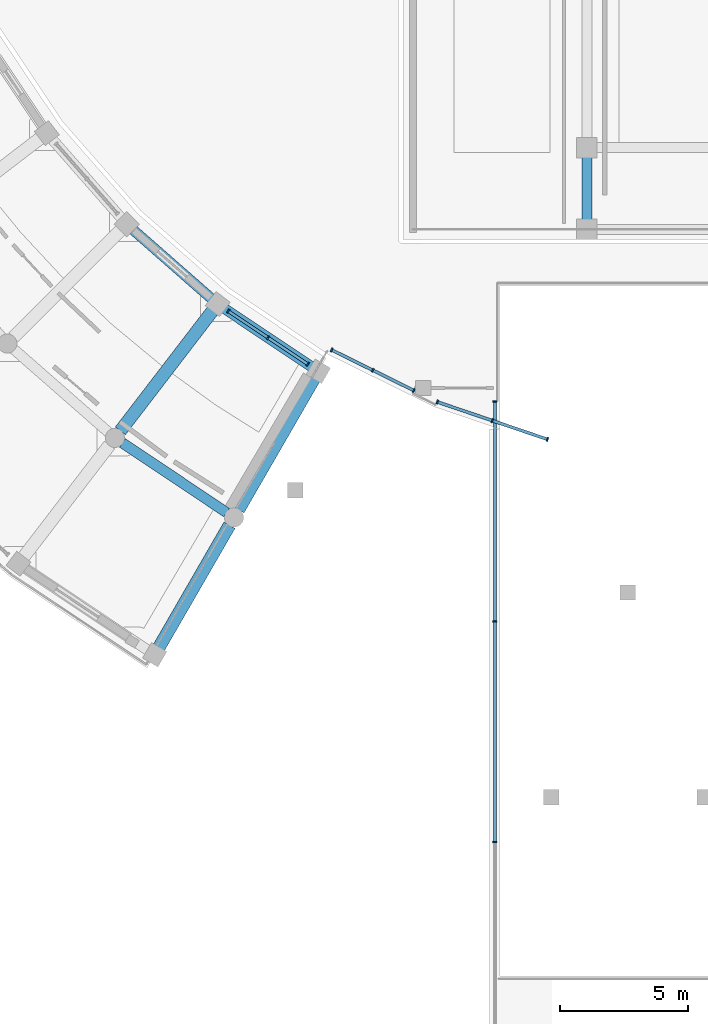
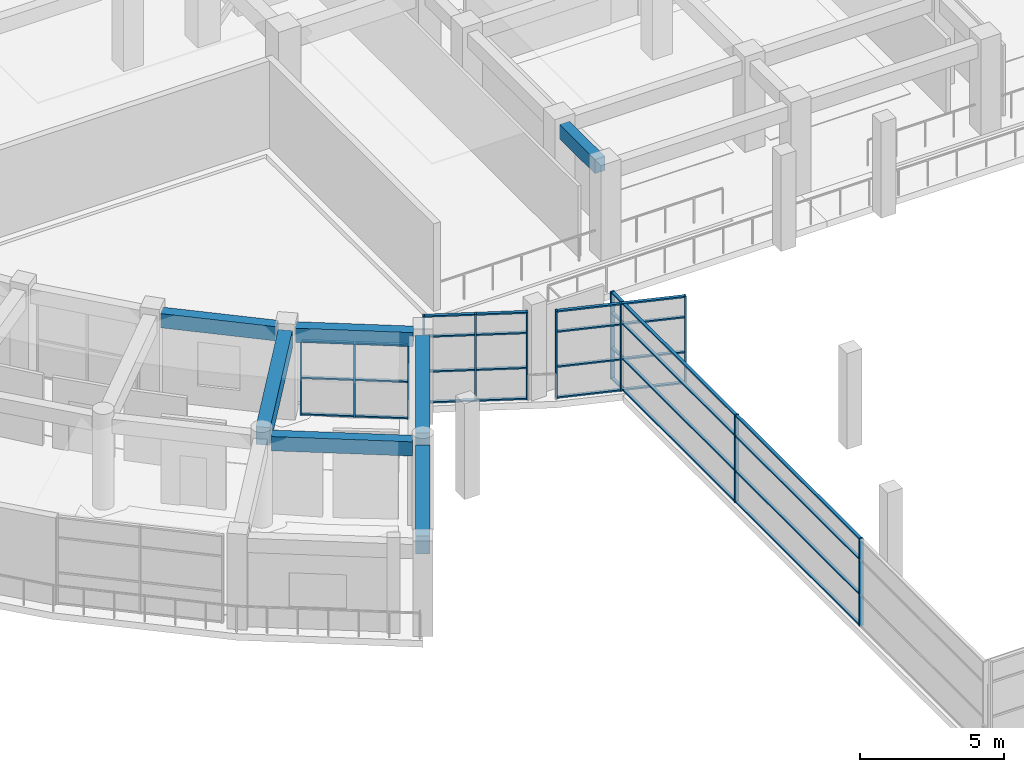
# One storey, part 16 of 87: 42 members, 7 beams, 4 elements without a shape of their own.
"""IFC4 building model written with IfcOpenShell, lengths in metres."""

from ifc_helpers import new_model, si_unit, direction, frame, origin, origin_2d, place, context, subcontext, project, spatial, rectangle, extrude, material, material_profile, profile_set, type_object, element, aggregate, save


model = new_model("IFC4")

# Units and contexts
model_context = context("Model", 3, precision=1e-05, world=origin(), true_north=direction((0.0, 1.0)))
body_context = subcontext(model_context, "Body", "Model", "MODEL_VIEW")
ifc_project = project(units=[si_unit("LENGTHUNIT", "METRE"), si_unit("AREAUNIT", "SQUARE_METRE"), si_unit("VOLUMEUNIT", "CUBIC_METRE"), si_unit("PLANEANGLEUNIT", "RADIAN"), si_unit("MASSUNIT", "GRAM", prefix="KILO")], contexts=[model_context])

# Site, building, storey
site_placement = place(None, origin())
site = spatial("IfcSite", under=ifc_project, at=site_placement, CompositionType="ELEMENT")
building_placement = place(site_placement, origin())
building = spatial("IfcBuilding", under=site, at=building_placement, Name="Saryqyr Civic Hall", CompositionType="ELEMENT")
storey_placement = place(building_placement, frame((0.0, 0.0, 5.10009765625)))
storey = spatial("IfcBuildingStorey", under=building, at=storey_placement, Name="L01", CompositionType="ELEMENT", Elevation=5.10009765625)

# Curtain wall, members
ifc_material_1 = material(Name="Anodised aluminium and triple low-E glass", Category="aluminium")
curtain_wall_type_1 = type_object("IfcCurtainWallType", Name="ENV-CW-STD-20", PredefinedType="NOTDEFINED", material=ifc_material_1)
curtain_wall_1_placement = place(storey_placement, origin())
curtain_wall_1 = element("IfcCurtainWall", 1, at=curtain_wall_1_placement, inside=storey, type_object=curtain_wall_type_1, Name="Curtain wall V4-CWI-L01-09", PredefinedType="NOTDEFINED")
ifc_material_2 = material(Name="Anodised aluminium", Category="aluminium")
ifc_material_profile_1 = material_profile(ifc_material_2, rectangle(XDim=0.06005859375, YDim=0.159912109375, at=origin_2d()), Name="ALU MULLION 60x160")
ifc_profile_set_1 = profile_set([ifc_material_profile_1], Name="Anodised aluminium")
member_type_1 = type_object("IfcMemberType", Name="ENV-CW-MUL-180", PredefinedType="MULLION", material=ifc_profile_set_1)
member_1_placement = place(storey_placement, frame((35.377685546875, 55.00341796875, 0.0), z_axis=(0.0, 0.0, 1.0), x_axis=(0.831478565563, -0.555556833285, 0.0)))
member_1 = element("IfcMember", 2, at=member_1_placement, type_object=member_type_1, Name="CW-20 mullion 1", PredefinedType="MULLION", context=body_context, shape_type="SweptSolid", body=[
    extrude(rectangle(XDim=0.06005859375, YDim=0.159912109375, at=origin_2d()), origin(), (0.0, 0.0, 1.0), 3.14501953125),
])
member_2_placement = place(storey_placement, frame((36.931396484375, 53.96533203125, 0.0), z_axis=(0.0, 0.0, 1.0), x_axis=(0.831478565563, -0.555556833285, 0.0)))
member_2 = element("IfcMember", 3, at=member_2_placement, type_object=member_type_1, Name="CW-20 mullion 2", PredefinedType="MULLION", context=body_context, shape_type="SweptSolid", body=[
    extrude(rectangle(XDim=0.06005859375, YDim=0.159912109375, at=origin_2d()), origin(), (0.0, 0.0, 1.0), 3.14501953125),
])
member_3_placement = place(storey_placement, frame((38.485107421875, 52.92724609375, 0.0), z_axis=(0.0, 0.0, 1.0), x_axis=(0.831478565563, -0.555556833285, 0.0)))
member_3 = element("IfcMember", 4, at=member_3_placement, type_object=member_type_1, Name="CW-20 mullion 3", PredefinedType="MULLION", context=body_context, shape_type="SweptSolid", body=[
    extrude(rectangle(XDim=0.06005859375, YDim=0.159912109375, at=origin_2d()), origin(), (0.0, 0.0, 1.0), 3.14501953125),
])

curtain_wall_type_2 = type_object("IfcCurtainWallType", Name="ENV-CW-STD-70", PredefinedType="NOTDEFINED", material=ifc_material_1)
curtain_wall_2_placement = place(storey_placement, origin())
curtain_wall_2 = element("IfcCurtainWall", 5, at=curtain_wall_2_placement, inside=storey, type_object=curtain_wall_type_2, Name="Curtain wall V2-VESTFLK-SW-L01", PredefinedType="NOTDEFINED")
member_4_placement = place(storey_placement, frame((45.800048828125, 34.239990234375, 0.0), z_axis=(0.0, 0.0, 1.0), x_axis=(0.0, 1.0, 0.0)))
member_4 = element("IfcMember", 6, at=member_4_placement, type_object=member_type_1, Name="CW-70 mullion 2", PredefinedType="MULLION", context=body_context, shape_type="SweptSolid", body=[
    extrude(rectangle(XDim=0.06005859375, YDim=0.159912109375, at=origin_2d()), origin(), (0.0, 0.0, 1.0), 3.699951171875),
])
member_5_placement = place(storey_placement, frame((45.800048828125, 42.8701171875, 0.0), z_axis=(0.0, 0.0, 1.0), x_axis=(0.0, 1.0, 0.0)))
member_5 = element("IfcMember", 7, at=member_5_placement, type_object=member_type_1, Name="CW-70 mullion 3", PredefinedType="MULLION", context=body_context, shape_type="SweptSolid", body=[
    extrude(rectangle(XDim=0.06005859375, YDim=0.159912109375, at=origin_2d()), origin(), (0.0, 0.0, 1.0), 3.699951171875),
])
member_6_placement = place(storey_placement, frame((45.800048828125, 51.469970703125, 0.0), z_axis=(0.0, 0.0, 1.0), x_axis=(0.0, 1.0, 0.0)))
member_6 = element("IfcMember", 8, at=member_6_placement, type_object=member_type_1, Name="CW-70 mullion 4", PredefinedType="MULLION", context=body_context, shape_type="SweptSolid", body=[
    extrude(rectangle(XDim=0.06005859375, YDim=0.159912109375, at=origin_2d()), origin(), (0.0, 0.0, 1.0), 3.699951171875),
])

curtain_wall_type_3 = type_object("IfcCurtainWallType", Name="ENV-CW-STD-77", PredefinedType="NOTDEFINED", material=ifc_material_1)
curtain_wall_3_placement = place(storey_placement, origin())
curtain_wall_3 = element("IfcCurtainWall", 9, at=curtain_wall_3_placement, inside=storey, type_object=curtain_wall_type_3, Name="Curtain wall V2-PERIM-CW-L01-32", PredefinedType="NOTDEFINED")
member_7_placement = place(storey_placement, frame((42.633056640625, 51.899169921875, 0.0), z_axis=(0.0, 0.0, 1.0), x_axis=(-0.896871168654, 0.442291879687, 0.0)))
member_7 = element("IfcMember", 10, at=member_7_placement, type_object=member_type_1, Name="CW-77 mullion 1", PredefinedType="MULLION", context=body_context, shape_type="SweptSolid", body=[
    extrude(rectangle(XDim=0.06005859375, YDim=0.159912109375, at=origin_2d()), origin(), (0.0, 0.0, 1.0), 3.699951171875),
])
member_8_placement = place(storey_placement, frame((41.02490234375, 52.6923828125, 0.0), z_axis=(0.0, 0.0, 1.0), x_axis=(-0.896871168654, 0.442291879687, 0.0)))
member_8 = element("IfcMember", 11, at=member_8_placement, type_object=member_type_1, Name="CW-77 mullion 2", PredefinedType="MULLION", context=body_context, shape_type="SweptSolid", body=[
    extrude(rectangle(XDim=0.06005859375, YDim=0.159912109375, at=origin_2d()), origin(), (0.0, 0.0, 1.0), 3.699951171875),
])
member_9_placement = place(storey_placement, frame((39.4169921875, 53.4853515625, 0.0), z_axis=(0.0, 0.0, 1.0), x_axis=(-0.896871168654, 0.442291879687, 0.0)))
member_9 = element("IfcMember", 12, at=member_9_placement, type_object=member_type_1, Name="CW-77 mullion 3", PredefinedType="MULLION", context=body_context, shape_type="SweptSolid", body=[
    extrude(rectangle(XDim=0.06005859375, YDim=0.159912109375, at=origin_2d()), origin(), (0.0, 0.0, 1.0), 3.699951171875),
])

curtain_wall_type_4 = type_object("IfcCurtainWallType", Name="ENV-CW-STD-74", PredefinedType="NOTDEFINED", material=ifc_material_1)
curtain_wall_4_placement = place(storey_placement, origin())
curtain_wall_4 = element("IfcCurtainWall", 13, at=curtain_wall_4_placement, inside=storey, type_object=curtain_wall_type_4, Name="Curtain wall V2-PERIM-CW-L01-33", PredefinedType="NOTDEFINED")
member_10_placement = place(storey_placement, frame((47.85595703125, 49.98974609375, 0.0), z_axis=(0.0, 0.0, 1.0), x_axis=(-0.946928094828, 0.321445459178, 0.0)))
member_10 = element("IfcMember", 14, at=member_10_placement, type_object=member_type_1, Name="CW-74 mullion 1", PredefinedType="MULLION", context=body_context, shape_type="SweptSolid", body=[
    extrude(rectangle(XDim=0.06005859375, YDim=0.159912109375, at=origin_2d()), origin(), (0.0, 0.0, 1.0), 3.699951171875),
])
member_11_placement = place(storey_placement, frame((45.703125, 50.720458984375, 0.0), z_axis=(0.0, 0.0, 1.0), x_axis=(-0.946928094828, 0.321445459178, 0.0)))
member_11 = element("IfcMember", 15, at=member_11_placement, type_object=member_type_1, Name="CW-74 mullion 2", PredefinedType="MULLION", context=body_context, shape_type="SweptSolid", body=[
    extrude(rectangle(XDim=0.06005859375, YDim=0.159912109375, at=origin_2d()), origin(), (0.0, 0.0, 1.0), 3.699951171875),
])
member_12_placement = place(storey_placement, frame((43.55029296875, 51.451416015625, 0.0), z_axis=(0.0, 0.0, 1.0), x_axis=(-0.946928094828, 0.321445459178, 0.0)))
member_12 = element("IfcMember", 16, at=member_12_placement, type_object=member_type_1, Name="CW-74 mullion 3", PredefinedType="MULLION", context=body_context, shape_type="SweptSolid", body=[
    extrude(rectangle(XDim=0.06005859375, YDim=0.159912109375, at=origin_2d()), origin(), (0.0, 0.0, 1.0), 3.699951171875),
])

# Member
ifc_material_profile_2 = material_profile(ifc_material_2, rectangle(XDim=0.1201171875, YDim=0.06005859375, at=origin_2d()), Name="ALU TRANSOM 120x60")
ifc_profile_set_2 = profile_set([ifc_material_profile_2], Name="Anodised aluminium")
member_type_2 = type_object("IfcMemberType", Name="ENV-CW-TRN-150", PredefinedType="USERDEFINED", material=ifc_profile_set_2)
member_13_placement = place(storey_placement, frame((35.402587890625, 54.986572265625, 0.02978515625), z_axis=(0.83153074235, -0.555478734541, 0.0), x_axis=(0.555478734541, 0.83153074235, 0.0)))
member_13 = element("IfcMember", 17, at=member_13_placement, type_object=member_type_2, Name="CW-20 transom 1.1", ObjectType="TRANSOM", PredefinedType="USERDEFINED", context=body_context, shape_type="SweptSolid", body=[
    extrude(rectangle(XDim=0.1201171875, YDim=0.06005859375, at=origin_2d()), origin(), (0.0, 0.0, 1.0), 1.80859375),
])

member_14_placement = place(storey_placement, frame((35.402587890625, 54.986572265625, 1.572021484375), z_axis=(0.83153074235, -0.555478734541, 0.0), x_axis=(0.555478734541, 0.83153074235, 0.0)))
member_14 = element("IfcMember", 18, at=member_14_placement, type_object=member_type_2, Name="CW-20 transom 1.2", ObjectType="TRANSOM", PredefinedType="USERDEFINED", context=body_context, shape_type="SweptSolid", body=[
    extrude(rectangle(XDim=0.1201171875, YDim=0.06005859375, at=origin_2d()), origin(), (0.0, 0.0, 1.0), 1.80859375),
])

member_15_placement = place(storey_placement, frame((35.402587890625, 54.986572265625, 3.114990234375), z_axis=(0.83153074235, -0.555478734541, 0.0), x_axis=(0.555478734541, 0.83153074235, 0.0)))
member_15 = element("IfcMember", 19, at=member_15_placement, type_object=member_type_2, Name="CW-20 transom 1.3", ObjectType="TRANSOM", PredefinedType="USERDEFINED", context=body_context, shape_type="SweptSolid", body=[
    extrude(rectangle(XDim=0.1201171875, YDim=0.06005859375, at=origin_2d()), origin(), (0.0, 0.0, 1.0), 1.80859375),
])

member_16_placement = place(storey_placement, frame((36.956298828125, 53.948486328125, 0.02978515625), z_axis=(0.83153074235, -0.555478734541, 0.0), x_axis=(0.555478734541, 0.83153074235, 0.0)))
member_16 = element("IfcMember", 20, at=member_16_placement, type_object=member_type_2, Name="CW-20 transom 2.1", ObjectType="TRANSOM", PredefinedType="USERDEFINED", context=body_context, shape_type="SweptSolid", body=[
    extrude(rectangle(XDim=0.1201171875, YDim=0.06005859375, at=origin_2d()), origin(), (0.0, 0.0, 1.0), 1.80859375),
])

member_17_placement = place(storey_placement, frame((36.956298828125, 53.948486328125, 1.572021484375), z_axis=(0.83153074235, -0.555478734541, 0.0), x_axis=(0.555478734541, 0.83153074235, 0.0)))
member_17 = element("IfcMember", 21, at=member_17_placement, type_object=member_type_2, Name="CW-20 transom 2.2", ObjectType="TRANSOM", PredefinedType="USERDEFINED", context=body_context, shape_type="SweptSolid", body=[
    extrude(rectangle(XDim=0.1201171875, YDim=0.06005859375, at=origin_2d()), origin(), (0.0, 0.0, 1.0), 1.80859375),
])

member_18_placement = place(storey_placement, frame((36.956298828125, 53.948486328125, 3.114990234375), z_axis=(0.83153074235, -0.555478734541, 0.0), x_axis=(0.555478734541, 0.83153074235, 0.0)))
member_18 = element("IfcMember", 22, at=member_18_placement, type_object=member_type_2, Name="CW-20 transom 2.3", ObjectType="TRANSOM", PredefinedType="USERDEFINED", context=body_context, shape_type="SweptSolid", body=[
    extrude(rectangle(XDim=0.1201171875, YDim=0.06005859375, at=origin_2d()), origin(), (0.0, 0.0, 1.0), 1.80859375),
])

aggregate(curtain_wall_1, [member_1, member_2, member_3, member_13, member_14, member_15, member_16, member_17, member_18])

member_19_placement = place(storey_placement, frame((45.800048828125, 34.27001953125, 0.02978515625), z_axis=(0.0, 1.0, 0.0), x_axis=(-1.0, 0.0, 0.0)))
member_19 = element("IfcMember", 23, at=member_19_placement, type_object=member_type_2, Name="CW-70 transom 2.1", ObjectType="TRANSOM", PredefinedType="USERDEFINED", context=body_context, shape_type="SweptSolid", body=[
    extrude(rectangle(XDim=0.1201171875, YDim=0.06005859375, at=origin_2d()), origin(), (0.0, 0.0, 1.0), 8.570068359375),
])

member_20_placement = place(storey_placement, frame((45.800048828125, 34.27001953125, 1.331787109375), z_axis=(0.0, 1.0, 0.0), x_axis=(-1.0, 0.0, 0.0)))
member_20 = element("IfcMember", 24, at=member_20_placement, type_object=member_type_2, Name="CW-70 transom 2.2", ObjectType="TRANSOM", PredefinedType="USERDEFINED", context=body_context, shape_type="SweptSolid", body=[
    extrude(rectangle(XDim=0.1201171875, YDim=0.06005859375, at=origin_2d()), origin(), (0.0, 0.0, 1.0), 8.570068359375),
])

member_21_placement = place(storey_placement, frame((45.800048828125, 34.27001953125, 2.81201171875), z_axis=(0.0, 1.0, 0.0), x_axis=(-1.0, 0.0, 0.0)))
member_21 = element("IfcMember", 25, at=member_21_placement, type_object=member_type_2, Name="CW-70 transom 2.3", ObjectType="TRANSOM", PredefinedType="USERDEFINED", context=body_context, shape_type="SweptSolid", body=[
    extrude(rectangle(XDim=0.1201171875, YDim=0.06005859375, at=origin_2d()), origin(), (0.0, 0.0, 1.0), 8.570068359375),
])

member_22_placement = place(storey_placement, frame((45.800048828125, 34.27001953125, 3.669921875), z_axis=(0.0, 1.0, 0.0), x_axis=(-1.0, 0.0, 0.0)))
member_22 = element("IfcMember", 26, at=member_22_placement, type_object=member_type_2, Name="CW-70 transom 2.4", ObjectType="TRANSOM", PredefinedType="USERDEFINED", context=body_context, shape_type="SweptSolid", body=[
    extrude(rectangle(XDim=0.1201171875, YDim=0.06005859375, at=origin_2d()), origin(), (0.0, 0.0, 1.0), 8.570068359375),
])

member_23_placement = place(storey_placement, frame((45.800048828125, 42.89990234375, 0.02978515625), z_axis=(0.0, 1.0, 0.0), x_axis=(-1.0, 0.0, 0.0)))
member_23 = element("IfcMember", 27, at=member_23_placement, type_object=member_type_2, Name="CW-70 transom 3.1", ObjectType="TRANSOM", PredefinedType="USERDEFINED", context=body_context, shape_type="SweptSolid", body=[
    extrude(rectangle(XDim=0.1201171875, YDim=0.06005859375, at=origin_2d()), origin(), (0.0, 0.0, 1.0), 8.5400390625),
])

member_24_placement = place(storey_placement, frame((45.800048828125, 42.89990234375, 1.331787109375), z_axis=(0.0, 1.0, 0.0), x_axis=(-1.0, 0.0, 0.0)))
member_24 = element("IfcMember", 28, at=member_24_placement, type_object=member_type_2, Name="CW-70 transom 3.2", ObjectType="TRANSOM", PredefinedType="USERDEFINED", context=body_context, shape_type="SweptSolid", body=[
    extrude(rectangle(XDim=0.1201171875, YDim=0.06005859375, at=origin_2d()), origin(), (0.0, 0.0, 1.0), 8.5400390625),
])

member_25_placement = place(storey_placement, frame((45.800048828125, 42.89990234375, 2.81201171875), z_axis=(0.0, 1.0, 0.0), x_axis=(-1.0, 0.0, 0.0)))
member_25 = element("IfcMember", 29, at=member_25_placement, type_object=member_type_2, Name="CW-70 transom 3.3", ObjectType="TRANSOM", PredefinedType="USERDEFINED", context=body_context, shape_type="SweptSolid", body=[
    extrude(rectangle(XDim=0.1201171875, YDim=0.06005859375, at=origin_2d()), origin(), (0.0, 0.0, 1.0), 8.5400390625),
])

member_26_placement = place(storey_placement, frame((45.800048828125, 42.89990234375, 3.669921875), z_axis=(0.0, 1.0, 0.0), x_axis=(-1.0, 0.0, 0.0)))
member_26 = element("IfcMember", 30, at=member_26_placement, type_object=member_type_2, Name="CW-70 transom 3.4", ObjectType="TRANSOM", PredefinedType="USERDEFINED", context=body_context, shape_type="SweptSolid", body=[
    extrude(rectangle(XDim=0.1201171875, YDim=0.06005859375, at=origin_2d()), origin(), (0.0, 0.0, 1.0), 8.5400390625),
])

aggregate(curtain_wall_2, [member_4, member_5, member_6, member_19, member_20, member_21, member_22, member_23, member_24, member_25, member_26])

member_27_placement = place(storey_placement, frame((42.606201171875, 51.91259765625, 0.02978515625), z_axis=(-0.896893071271, 0.442247463198, 0.0), x_axis=(-0.442247463198, -0.896893071271, 0.0)))
member_27 = element("IfcMember", 31, at=member_27_placement, type_object=member_type_2, Name="CW-77 transom 1.1", ObjectType="TRANSOM", PredefinedType="USERDEFINED", context=body_context, shape_type="SweptSolid", body=[
    extrude(rectangle(XDim=0.1201171875, YDim=0.06005859375, at=origin_2d()), origin(), (0.0, 0.0, 1.0), 1.73291015625),
])

member_28_placement = place(storey_placement, frame((42.606201171875, 51.91259765625, 1.331787109375), z_axis=(-0.896893071271, 0.442247463198, 0.0), x_axis=(-0.442247463198, -0.896893071271, 0.0)))
member_28 = element("IfcMember", 32, at=member_28_placement, type_object=member_type_2, Name="CW-77 transom 1.2", ObjectType="TRANSOM", PredefinedType="USERDEFINED", context=body_context, shape_type="SweptSolid", body=[
    extrude(rectangle(XDim=0.1201171875, YDim=0.06005859375, at=origin_2d()), origin(), (0.0, 0.0, 1.0), 1.73291015625),
])

member_29_placement = place(storey_placement, frame((42.606201171875, 51.91259765625, 2.81201171875), z_axis=(-0.896893071271, 0.442247463198, 0.0), x_axis=(-0.442247463198, -0.896893071271, 0.0)))
member_29 = element("IfcMember", 33, at=member_29_placement, type_object=member_type_2, Name="CW-77 transom 1.3", ObjectType="TRANSOM", PredefinedType="USERDEFINED", context=body_context, shape_type="SweptSolid", body=[
    extrude(rectangle(XDim=0.1201171875, YDim=0.06005859375, at=origin_2d()), origin(), (0.0, 0.0, 1.0), 1.73291015625),
])

member_30_placement = place(storey_placement, frame((42.606201171875, 51.91259765625, 3.669921875), z_axis=(-0.896893071271, 0.442247463198, 0.0), x_axis=(-0.442247463198, -0.896893071271, 0.0)))
member_30 = element("IfcMember", 34, at=member_30_placement, type_object=member_type_2, Name="CW-77 transom 1.4", ObjectType="TRANSOM", PredefinedType="USERDEFINED", context=body_context, shape_type="SweptSolid", body=[
    extrude(rectangle(XDim=0.1201171875, YDim=0.06005859375, at=origin_2d()), origin(), (0.0, 0.0, 1.0), 1.73291015625),
])

member_31_placement = place(storey_placement, frame((40.998046875, 52.70556640625, 0.02978515625), z_axis=(-0.89683718455, 0.442360785342, 0.0), x_axis=(-0.442360785342, -0.89683718455, 0.0)))
member_31 = element("IfcMember", 35, at=member_31_placement, type_object=member_type_2, Name="CW-77 transom 2.1", ObjectType="TRANSOM", PredefinedType="USERDEFINED", context=body_context, shape_type="SweptSolid", body=[
    extrude(rectangle(XDim=0.1201171875, YDim=0.06005859375, at=origin_2d()), origin(), (0.0, 0.0, 1.0), 1.73291015625),
])

member_32_placement = place(storey_placement, frame((40.998046875, 52.70556640625, 1.331787109375), z_axis=(-0.89683718455, 0.442360785342, 0.0), x_axis=(-0.442360785342, -0.89683718455, 0.0)))
member_32 = element("IfcMember", 36, at=member_32_placement, type_object=member_type_2, Name="CW-77 transom 2.2", ObjectType="TRANSOM", PredefinedType="USERDEFINED", context=body_context, shape_type="SweptSolid", body=[
    extrude(rectangle(XDim=0.1201171875, YDim=0.06005859375, at=origin_2d()), origin(), (0.0, 0.0, 1.0), 1.73291015625),
])

member_33_placement = place(storey_placement, frame((40.998046875, 52.70556640625, 2.81201171875), z_axis=(-0.89683718455, 0.442360785342, 0.0), x_axis=(-0.442360785342, -0.89683718455, 0.0)))
member_33 = element("IfcMember", 37, at=member_33_placement, type_object=member_type_2, Name="CW-77 transom 2.3", ObjectType="TRANSOM", PredefinedType="USERDEFINED", context=body_context, shape_type="SweptSolid", body=[
    extrude(rectangle(XDim=0.1201171875, YDim=0.06005859375, at=origin_2d()), origin(), (0.0, 0.0, 1.0), 1.73291015625),
])

member_34_placement = place(storey_placement, frame((40.998046875, 52.70556640625, 3.669921875), z_axis=(-0.89683718455, 0.442360785342, 0.0), x_axis=(-0.442360785342, -0.89683718455, 0.0)))
member_34 = element("IfcMember", 38, at=member_34_placement, type_object=member_type_2, Name="CW-77 transom 2.4", ObjectType="TRANSOM", PredefinedType="USERDEFINED", context=body_context, shape_type="SweptSolid", body=[
    extrude(rectangle(XDim=0.1201171875, YDim=0.06005859375, at=origin_2d()), origin(), (0.0, 0.0, 1.0), 1.73291015625),
])

aggregate(curtain_wall_3, [member_7, member_8, member_9, member_27, member_28, member_29, member_30, member_31, member_32, member_33, member_34])

member_35_placement = place(storey_placement, frame((47.82763671875, 49.999267578125, 0.02978515625), z_axis=(-0.946915165682, 0.321483543904, 0.0), x_axis=(-0.321483543904, -0.946915165682, 0.0)))
member_35 = element("IfcMember", 39, at=member_35_placement, type_object=member_type_2, Name="CW-74 transom 1.1", ObjectType="TRANSOM", PredefinedType="USERDEFINED", context=body_context, shape_type="SweptSolid", body=[
    extrude(rectangle(XDim=0.1201171875, YDim=0.06005859375, at=origin_2d()), origin(), (0.0, 0.0, 1.0), 2.213623046875),
])

member_36_placement = place(storey_placement, frame((47.82763671875, 49.999267578125, 1.331787109375), z_axis=(-0.946915165682, 0.321483543904, 0.0), x_axis=(-0.321483543904, -0.946915165682, 0.0)))
member_36 = element("IfcMember", 40, at=member_36_placement, type_object=member_type_2, Name="CW-74 transom 1.2", ObjectType="TRANSOM", PredefinedType="USERDEFINED", context=body_context, shape_type="SweptSolid", body=[
    extrude(rectangle(XDim=0.1201171875, YDim=0.06005859375, at=origin_2d()), origin(), (0.0, 0.0, 1.0), 2.213623046875),
])

member_37_placement = place(storey_placement, frame((47.82763671875, 49.999267578125, 2.81201171875), z_axis=(-0.946915165682, 0.321483543904, 0.0), x_axis=(-0.321483543904, -0.946915165682, 0.0)))
member_37 = element("IfcMember", 41, at=member_37_placement, type_object=member_type_2, Name="CW-74 transom 1.3", ObjectType="TRANSOM", PredefinedType="USERDEFINED", context=body_context, shape_type="SweptSolid", body=[
    extrude(rectangle(XDim=0.1201171875, YDim=0.06005859375, at=origin_2d()), origin(), (0.0, 0.0, 1.0), 2.213623046875),
])

member_38_placement = place(storey_placement, frame((47.82763671875, 49.999267578125, 3.669921875), z_axis=(-0.946915165682, 0.321483543904, 0.0), x_axis=(-0.321483543904, -0.946915165682, 0.0)))
member_38 = element("IfcMember", 42, at=member_38_placement, type_object=member_type_2, Name="CW-74 transom 1.4", ObjectType="TRANSOM", PredefinedType="USERDEFINED", context=body_context, shape_type="SweptSolid", body=[
    extrude(rectangle(XDim=0.1201171875, YDim=0.06005859375, at=origin_2d()), origin(), (0.0, 0.0, 1.0), 2.213623046875),
])

member_39_placement = place(storey_placement, frame((45.6748046875, 50.730224609375, 0.02978515625), z_axis=(-0.946948734697, 0.321384650933, 0.0), x_axis=(-0.321384650933, -0.946948734697, 0.0)))
member_39 = element("IfcMember", 43, at=member_39_placement, type_object=member_type_2, Name="CW-74 transom 2.1", ObjectType="TRANSOM", PredefinedType="USERDEFINED", context=body_context, shape_type="SweptSolid", body=[
    extrude(rectangle(XDim=0.1201171875, YDim=0.06005859375, at=origin_2d()), origin(), (0.0, 0.0, 1.0), 2.213623046875),
])

member_40_placement = place(storey_placement, frame((45.6748046875, 50.730224609375, 1.331787109375), z_axis=(-0.946948734697, 0.321384650933, 0.0), x_axis=(-0.321384650933, -0.946948734697, 0.0)))
member_40 = element("IfcMember", 44, at=member_40_placement, type_object=member_type_2, Name="CW-74 transom 2.2", ObjectType="TRANSOM", PredefinedType="USERDEFINED", context=body_context, shape_type="SweptSolid", body=[
    extrude(rectangle(XDim=0.1201171875, YDim=0.06005859375, at=origin_2d()), origin(), (0.0, 0.0, 1.0), 2.213623046875),
])

member_41_placement = place(storey_placement, frame((45.6748046875, 50.730224609375, 2.81201171875), z_axis=(-0.946948734697, 0.321384650933, 0.0), x_axis=(-0.321384650933, -0.946948734697, 0.0)))
member_41 = element("IfcMember", 45, at=member_41_placement, type_object=member_type_2, Name="CW-74 transom 2.3", ObjectType="TRANSOM", PredefinedType="USERDEFINED", context=body_context, shape_type="SweptSolid", body=[
    extrude(rectangle(XDim=0.1201171875, YDim=0.06005859375, at=origin_2d()), origin(), (0.0, 0.0, 1.0), 2.213623046875),
])

member_42_placement = place(storey_placement, frame((45.6748046875, 50.730224609375, 3.669921875), z_axis=(-0.946948734697, 0.321384650933, 0.0), x_axis=(-0.321384650933, -0.946948734697, 0.0)))
member_42 = element("IfcMember", 46, at=member_42_placement, type_object=member_type_2, Name="CW-74 transom 2.4", ObjectType="TRANSOM", PredefinedType="USERDEFINED", context=body_context, shape_type="SweptSolid", body=[
    extrude(rectangle(XDim=0.1201171875, YDim=0.06005859375, at=origin_2d()), origin(), (0.0, 0.0, 1.0), 2.213623046875),
])

aggregate(curtain_wall_4, [member_10, member_11, member_12, member_35, member_36, member_37, member_38, member_39, member_40, member_41, member_42])

# Beams
ifc_material_3 = material(Name="Concrete C35/45", Category="concrete")
ifc_material_profile_3 = material_profile(ifc_material_3, rectangle(XDim=0.39990234375, YDim=0.60009765625, at=origin_2d()), Name="RC 400x600")
ifc_profile_set_3 = profile_set([ifc_material_profile_3], Name="Concrete C35/45")
beam_type_1 = type_object("IfcBeamType", Name="STR-BM-RC400x600", PredefinedType="BEAM", material=ifc_profile_set_3)
beam_1_placement = place(storey_placement, frame((49.39990234375, 58.574951171875, 3.469970703125), z_axis=(0.0, 1.0, 0.0), x_axis=(-1.0, 0.0, 0.0)))
element("IfcBeam", 47, at=beam_1_placement, inside=storey, type_object=beam_type_1, Name="Beam V1-TBM-07-L01", PredefinedType="BEAM", context=body_context, shape_type="SweptSolid", body=[
    extrude(rectangle(XDim=0.39990234375, YDim=0.60009765625, at=origin_2d()), origin(), (0.0, 0.0, 1.0), 2.449951171875),
])
beam_2_placement = place(storey_placement, frame((31.236083984375, 49.85009765625, 3.469970703125), z_axis=(0.831474774382, -0.555562507345, 0.0), x_axis=(0.555562507345, 0.831474774382, 0.0)))
element("IfcBeam", 48, at=beam_2_placement, inside=storey, type_object=beam_type_1, Name="Beam V4-CBM-MID09-L01", PredefinedType="BEAM", context=body_context, shape_type="SweptSolid", body=[
    extrude(rectangle(XDim=0.39990234375, YDim=0.60009765625, at=origin_2d()), origin(), (0.0, 0.0, 1.0), 4.8984375),
])
ifc_material_profile_4 = material_profile(ifc_material_3, rectangle(XDim=0.39990234375, YDim=0.60009765625, at=origin_2d()), Name="RC 400x600")
ifc_profile_set_4 = profile_set([ifc_material_profile_4], Name="Concrete C35/45")
beam_type_2 = type_object("IfcBeamType", Name="STR-BM-RC400x600-EXT", PredefinedType="BEAM", material=ifc_profile_set_4)
beam_3_placement = place(storey_placement, frame((31.64697265625, 58.1884765625, 3.469970703125), z_axis=(0.751846943441, -0.659337678006, 0.0), x_axis=(0.659337678006, 0.751846943441, 0.0)))
element("IfcBeam", 49, at=beam_3_placement, inside=storey, type_object=beam_type_2, Name="Beam V4-CBM-IN08-L01", PredefinedType="BEAM", context=body_context, shape_type="SweptSolid", body=[
    extrude(rectangle(XDim=0.39990234375, YDim=0.60009765625, at=origin_2d()), origin(), (0.0, 0.0, 1.0), 4.085205078125),
])
beam_4_placement = place(storey_placement, frame((35.23291015625, 55.10009765625, 3.469970703125), z_axis=(0.83149825372, -0.555527365717, 0.0), x_axis=(0.555527365717, 0.83149825372, 0.0)))
element("IfcBeam", 50, at=beam_4_placement, inside=storey, type_object=beam_type_2, Name="Beam V4-CBM-IN09-L01", PredefinedType="BEAM", context=body_context, shape_type="SweptSolid", body=[
    extrude(rectangle(XDim=0.39990234375, YDim=0.60009765625, at=origin_2d()), origin(), (0.0, 0.0, 1.0), 4.08544921875),
])
ifc_material_4 = material(Name="Concrete C40/50", Category="concrete")
ifc_material_profile_5 = material_profile(ifc_material_4, rectangle(XDim=0.5, YDim=0.75, at=origin_2d()), Name="RC 500x750")
ifc_profile_set_5 = profile_set([ifc_material_profile_5], Name="Concrete C40/50")
beam_type_3 = type_object("IfcBeamType", Name="STR-BM-RC500x750", PredefinedType="BEAM", material=ifc_profile_set_5)
beam_5_placement = place(storey_placement, frame((34.764892578125, 55.022705078125, 3.39501953125), z_axis=(-0.608752442109, -0.793360236101, 0.0), x_axis=(0.793360236101, -0.608752442109, 0.0)))
element("IfcBeam", 51, at=beam_5_placement, inside=storey, type_object=beam_type_3, Name="Beam V4-RBM-A09-L01", PredefinedType="BEAM", context=body_context, shape_type="SweptSolid", body=[
    extrude(rectangle(XDim=0.5, YDim=0.75, at=origin_2d()), origin(), (0.0, 0.0, 1.0), 5.9248046875),
])
beam_6_placement = place(storey_placement, frame((38.737548828125, 52.368408203125, 3.39501953125), z_axis=(-0.500025631269, -0.866010605059, 0.0), x_axis=(0.866010605059, -0.500025631269, 0.0)))
element("IfcBeam", 52, at=beam_6_placement, inside=storey, type_object=beam_type_3, Name="Beam V4-RBM-A10-L01", PredefinedType="BEAM", context=body_context, shape_type="SweptSolid", body=[
    extrude(rectangle(XDim=0.5, YDim=0.75, at=origin_2d()), origin(), (0.0, 0.0, 1.0), 5.925048828125),
])
beam_7_placement = place(storey_placement, frame((35.425048828125, 46.631103515625, 3.39501953125), z_axis=(-0.499983829672, -0.866034739526, 0.0), x_axis=(0.866034739526, -0.499983829672, 0.0)))
element("IfcBeam", 53, at=beam_7_placement, inside=storey, type_object=beam_type_3, Name="Beam V4-RBM-B10-L01", PredefinedType="BEAM", context=body_context, shape_type="SweptSolid", body=[
    extrude(rectangle(XDim=0.5, YDim=0.75, at=origin_2d()), origin(), (0.0, 0.0, 1.0), 5.525146484375),
])

save(model, "model.ifc")
